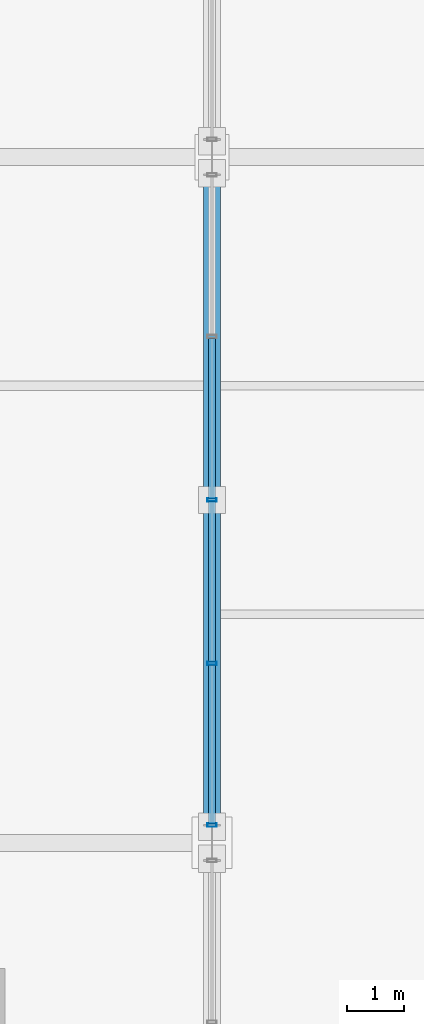
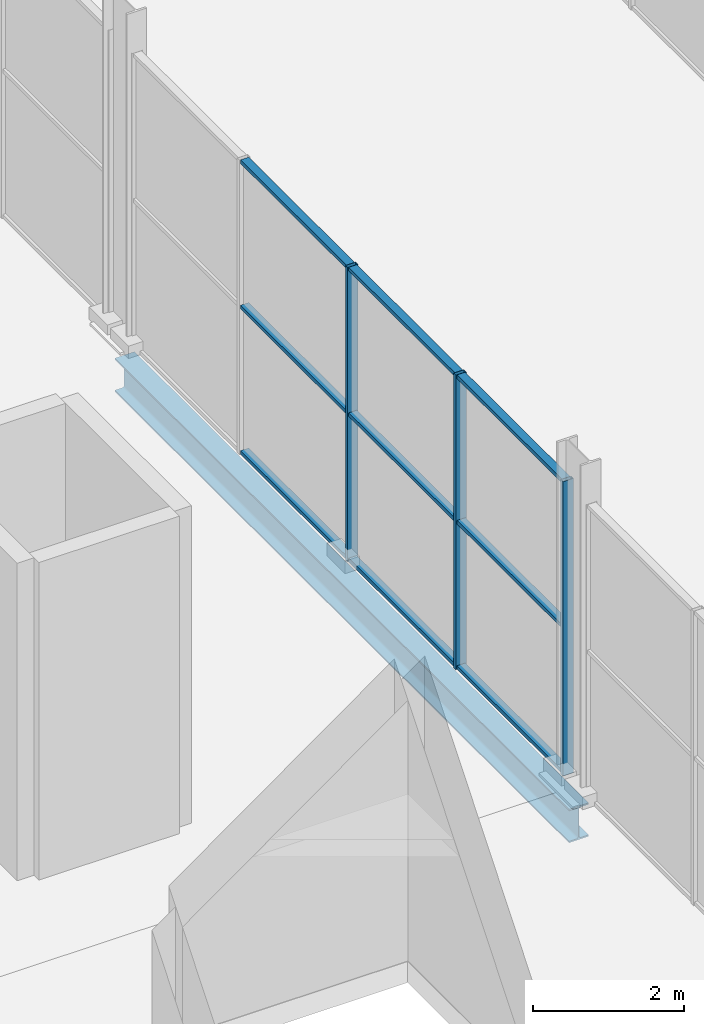
# One storey, part 93 of 196: 12 members, 1 beam, 1 element without a shape of its own.
"""IFC4 building model written with IfcOpenShell, lengths in metres."""

from ifc_helpers import new_model, si_unit, direction, frame, origin, origin_2d, place, context, subcontext, project, spatial, hollow_rectangle, i_section, extrude, material, material_profile, profile_set, type_object, element, aggregate, save


model = new_model("IFC4")

# Units and contexts
model_context = context("Model", 3, precision=1e-05, world=origin(), true_north=direction((0.0, 1.0)))
body_context = subcontext(model_context, "Body", "Model", "MODEL_VIEW")
ifc_project = project(units=[si_unit("LENGTHUNIT", "METRE"), si_unit("AREAUNIT", "SQUARE_METRE"), si_unit("VOLUMEUNIT", "CUBIC_METRE"), si_unit("PLANEANGLEUNIT", "RADIAN"), si_unit("MASSUNIT", "GRAM", prefix="KILO")], contexts=[model_context])

# Site, building, storey
site_placement = place(None, origin())
site = spatial("IfcSite", under=ifc_project, at=site_placement, CompositionType="ELEMENT")
building_placement = place(site_placement, origin())
building = spatial("IfcBuilding", under=site, at=building_placement, Name="Merenkruunu Market Hall", CompositionType="ELEMENT")
storey_placement = place(building_placement, origin())
storey = spatial("IfcBuildingStorey", under=building, at=storey_placement, Name="L00", CompositionType="ELEMENT", Elevation=0.0)

# Curtain wall, members
ifc_material_1 = material(Name="Powder-coated aluminium", Category="aluminium")
curtain_wall_type = type_object("IfcCurtainWallType", Name="Glazed Curtain Wall CW02", PredefinedType="USERDEFINED", material=ifc_material_1)
curtain_wall_placement = place(storey_placement, origin())
curtain_wall = element("IfcCurtainWall", 1, at=curtain_wall_placement, inside=storey, type_object=curtain_wall_type, Name="CW-L00-CWM01-130", ObjectType="GLAZED_FACADE", PredefinedType="USERDEFINED")
ifc_material_profile_1 = material_profile(ifc_material_1, hollow_rectangle(XDim=0.06005859375, YDim=0.159912109375, WallThickness=0.00390625, at=origin_2d()), Name="ALU 60x160x4")
ifc_profile_set_1 = profile_set([ifc_material_profile_1], Name="Powder-coated aluminium")
member_type_1 = type_object("IfcMemberType", Name="Curtain Wall Mullion CWM01", PredefinedType="MULLION", material=ifc_profile_set_1)
member_1_placement = place(storey_placement, frame((57.60009765625, 63.909912109375, 0.0), z_axis=(0.0, 0.0, 1.0), x_axis=(0.0, 1.0, 0.0)))
member_1 = element("IfcMember", 2, at=member_1_placement, type_object=member_type_1, Name="CW02 mullion 1", PredefinedType="MULLION", context=body_context, shape_type="SweptSolid", body=[
    extrude(hollow_rectangle(XDim=0.06005859375, YDim=0.159912109375, WallThickness=0.00390625, at=origin_2d()), origin(), (0.0, 0.0, 1.0), 4.75),
])
member_2_placement = place(storey_placement, frame((57.60009765625, 66.739990234375, 0.0), z_axis=(0.0, 0.0, 1.0), x_axis=(0.0, 1.0, 0.0)))
member_2 = element("IfcMember", 3, at=member_2_placement, type_object=member_type_1, Name="CW02 mullion 2", PredefinedType="MULLION", context=body_context, shape_type="SweptSolid", body=[
    extrude(hollow_rectangle(XDim=0.06005859375, YDim=0.159912109375, WallThickness=0.00390625, at=origin_2d()), origin(), (0.0, 0.0, 1.0), 4.75),
])
member_3_placement = place(storey_placement, frame((57.60009765625, 69.60009765625, 0.0), z_axis=(0.0, 0.0, 1.0), x_axis=(0.0, 1.0, 0.0)))
member_3 = element("IfcMember", 4, at=member_3_placement, type_object=member_type_1, Name="CW02 mullion 3", PredefinedType="MULLION", context=body_context, shape_type="SweptSolid", body=[
    extrude(hollow_rectangle(XDim=0.06005859375, YDim=0.159912109375, WallThickness=0.00390625, at=origin_2d()), origin(), (0.0, 0.0, 1.0), 4.75),
])
ifc_material_profile_2 = material_profile(ifc_material_1, hollow_rectangle(XDim=0.06005859375, YDim=0.125, WallThickness=0.00390625, at=origin_2d()), Name="ALU 60x125x4")
ifc_profile_set_2 = profile_set([ifc_material_profile_2], Name="Powder-coated aluminium")
member_type_2 = type_object("IfcMemberType", Name="Curtain Wall Transom CWT01", PredefinedType="USERDEFINED", material=ifc_profile_set_2)
member_4_placement = place(storey_placement, frame((57.60009765625, 63.93994140625, 0.030029296875), z_axis=(0.0, 1.0, 0.0), x_axis=(0.0, 0.0, 1.0)))
member_4 = element("IfcMember", 5, at=member_4_placement, type_object=member_type_2, Name="CW02 transom 1.1", ObjectType="TRANSOM", PredefinedType="USERDEFINED", context=body_context, shape_type="SweptSolid", body=[
    extrude(hollow_rectangle(XDim=0.06005859375, YDim=0.125, WallThickness=0.00390625, at=origin_2d()), origin(), (0.0, 0.0, 1.0), 2.77001953125),
])
member_5_placement = place(storey_placement, frame((57.60009765625, 63.93994140625, 2.375), z_axis=(0.0, 1.0, 0.0), x_axis=(0.0, 0.0, 1.0)))
member_5 = element("IfcMember", 6, at=member_5_placement, type_object=member_type_2, Name="CW02 transom 1.2", ObjectType="TRANSOM", PredefinedType="USERDEFINED", context=body_context, shape_type="SweptSolid", body=[
    extrude(hollow_rectangle(XDim=0.06005859375, YDim=0.125, WallThickness=0.00390625, at=origin_2d()), origin(), (0.0, 0.0, 1.0), 2.77001953125),
])
member_6_placement = place(storey_placement, frame((57.60009765625, 63.93994140625, 4.719970703125), z_axis=(0.0, 1.0, 0.0), x_axis=(0.0, 0.0, 1.0)))
member_6 = element("IfcMember", 7, at=member_6_placement, type_object=member_type_2, Name="CW02 transom 1.3", ObjectType="TRANSOM", PredefinedType="USERDEFINED", context=body_context, shape_type="SweptSolid", body=[
    extrude(hollow_rectangle(XDim=0.06005859375, YDim=0.125, WallThickness=0.00390625, at=origin_2d()), origin(), (0.0, 0.0, 1.0), 2.77001953125),
])
member_7_placement = place(storey_placement, frame((57.60009765625, 66.77001953125, 0.030029296875), z_axis=(0.0, 1.0, 0.0), x_axis=(0.0, 0.0, 1.0)))
member_7 = element("IfcMember", 8, at=member_7_placement, type_object=member_type_2, Name="CW02 transom 2.1", ObjectType="TRANSOM", PredefinedType="USERDEFINED", context=body_context, shape_type="SweptSolid", body=[
    extrude(hollow_rectangle(XDim=0.06005859375, YDim=0.125, WallThickness=0.00390625, at=origin_2d()), origin(), (0.0, 0.0, 1.0), 2.800048828125),
])
member_8_placement = place(storey_placement, frame((57.60009765625, 66.77001953125, 2.375), z_axis=(0.0, 1.0, 0.0), x_axis=(0.0, 0.0, 1.0)))
member_8 = element("IfcMember", 9, at=member_8_placement, type_object=member_type_2, Name="CW02 transom 2.2", ObjectType="TRANSOM", PredefinedType="USERDEFINED", context=body_context, shape_type="SweptSolid", body=[
    extrude(hollow_rectangle(XDim=0.06005859375, YDim=0.125, WallThickness=0.00390625, at=origin_2d()), origin(), (0.0, 0.0, 1.0), 2.800048828125),
])
member_9_placement = place(storey_placement, frame((57.60009765625, 66.77001953125, 4.719970703125), z_axis=(0.0, 1.0, 0.0), x_axis=(0.0, 0.0, 1.0)))
member_9 = element("IfcMember", 10, at=member_9_placement, type_object=member_type_2, Name="CW02 transom 2.3", ObjectType="TRANSOM", PredefinedType="USERDEFINED", context=body_context, shape_type="SweptSolid", body=[
    extrude(hollow_rectangle(XDim=0.06005859375, YDim=0.125, WallThickness=0.00390625, at=origin_2d()), origin(), (0.0, 0.0, 1.0), 2.800048828125),
])
member_10_placement = place(storey_placement, frame((57.60009765625, 69.6298828125, 0.030029296875), z_axis=(0.0, 1.0, 0.0), x_axis=(0.0, 0.0, 1.0)))
member_10 = element("IfcMember", 11, at=member_10_placement, type_object=member_type_2, Name="CW02 transom 3.1", ObjectType="TRANSOM", PredefinedType="USERDEFINED", context=body_context, shape_type="SweptSolid", body=[
    extrude(hollow_rectangle(XDim=0.06005859375, YDim=0.125, WallThickness=0.00390625, at=origin_2d()), origin(), (0.0, 0.0, 1.0), 2.800048828125),
])
member_11_placement = place(storey_placement, frame((57.60009765625, 69.6298828125, 2.375), z_axis=(0.0, 1.0, 0.0), x_axis=(0.0, 0.0, 1.0)))
member_11 = element("IfcMember", 12, at=member_11_placement, type_object=member_type_2, Name="CW02 transom 3.2", ObjectType="TRANSOM", PredefinedType="USERDEFINED", context=body_context, shape_type="SweptSolid", body=[
    extrude(hollow_rectangle(XDim=0.06005859375, YDim=0.125, WallThickness=0.00390625, at=origin_2d()), origin(), (0.0, 0.0, 1.0), 2.800048828125),
])
member_12_placement = place(storey_placement, frame((57.60009765625, 69.6298828125, 4.719970703125), z_axis=(0.0, 1.0, 0.0), x_axis=(0.0, 0.0, 1.0)))
member_12 = element("IfcMember", 13, at=member_12_placement, type_object=member_type_2, Name="CW02 transom 3.3", ObjectType="TRANSOM", PredefinedType="USERDEFINED", context=body_context, shape_type="SweptSolid", body=[
    extrude(hollow_rectangle(XDim=0.06005859375, YDim=0.125, WallThickness=0.00390625, at=origin_2d()), origin(), (0.0, 0.0, 1.0), 2.800048828125),
])
aggregate(curtain_wall, [member_1, member_2, member_3, member_4, member_5, member_6, member_7, member_8, member_9, member_10, member_11, member_12])

# Beam
ifc_material_2 = material(Name="Steel S355J2", Category="steel")
ifc_material_profile_3 = material_profile(ifc_material_2, i_section(OverallWidth=0.300048828125, OverallDepth=0.5400390625, WebThickness=0.012451171875, FlangeThickness=0.02392578125, FilletRadius=0.027099609375, at=origin_2d()), Name="HEA 550")
ifc_profile_set_3 = profile_set([ifc_material_profile_3], Name="Steel S355J2")
beam_type = type_object("IfcBeamType", Name="Primary Floor Girder B06", PredefinedType="BEAM", material=ifc_profile_set_3)
beam_placement = place(storey_placement, frame((57.60009765625, 63.60009765625, -0.610107421875), z_axis=(0.0, 1.0, 0.0), x_axis=(-1.0, 0.0, 0.0)))
element("IfcBeam", 14, at=beam_placement, inside=storey, type_object=beam_type, Name="BM-L00-B06-0190", PredefinedType="BEAM", context=body_context, shape_type="SweptSolid", body=[
    extrude(i_section(OverallWidth=0.300048828125, OverallDepth=0.5400390625, WebThickness=0.012451171875, FlangeThickness=0.02392578125, FilletRadius=0.027099609375, at=origin_2d()), origin(), (0.0, 0.0, 1.0), 12.0),
])

save(model, "model.ifc")
